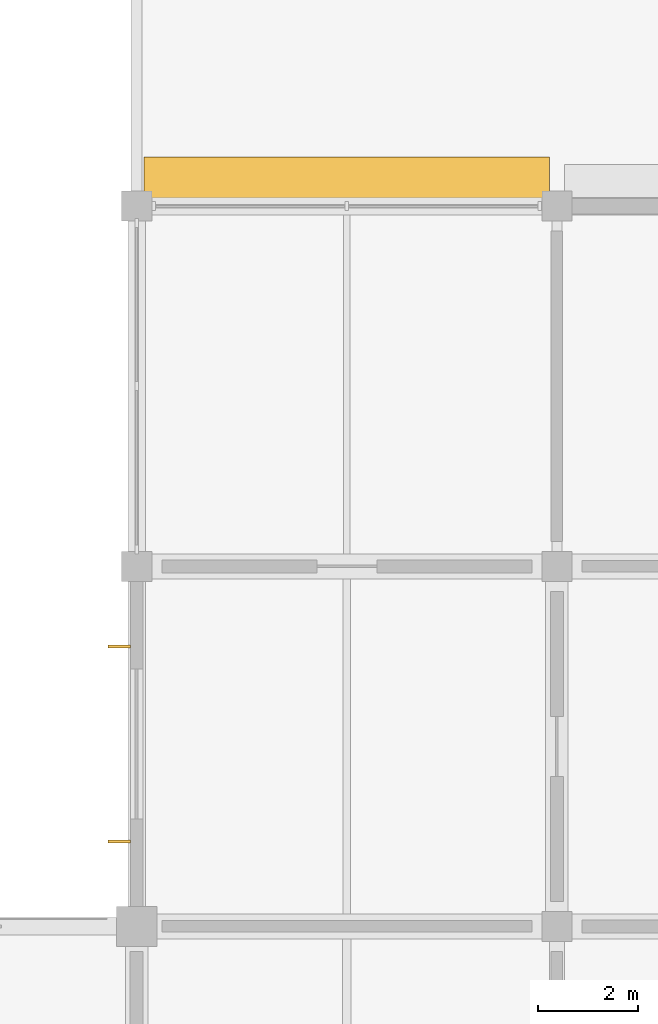
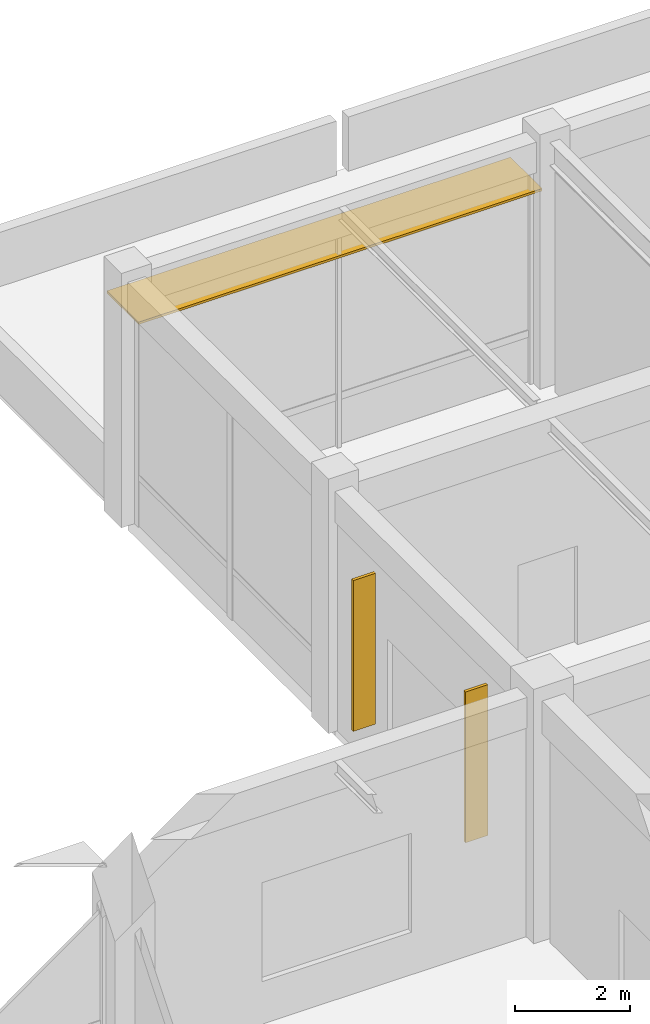
# One storey, part 37 of 38: 3 shading devices.
"""IFC4 building model written with IfcOpenShell, lengths in metres."""

from ifc_helpers import new_model, si_unit, derived_unit, direction, frame, origin, origin_2d, place, context, subcontext, project, spatial, rectangle, extrude, material, layer, layer_set, type_object, element, save


model = new_model("IFC4")

# Units and contexts
model_context = context("Model", 3, precision=1e-05, world=origin(), true_north=direction((0.0, 1.0)))
body_context = subcontext(model_context, "Body", "Model", "MODEL_VIEW")
ifc_project = project(units=[si_unit("LENGTHUNIT", "METRE"), si_unit("AREAUNIT", "SQUARE_METRE"), si_unit("VOLUMEUNIT", "CUBIC_METRE"), si_unit("PLANEANGLEUNIT", "RADIAN"), si_unit("MASSUNIT", "GRAM", prefix="KILO"), derived_unit("THERMALTRANSMITTANCEUNIT", [(si_unit("MASSUNIT", "GRAM", prefix="KILO"), 1), (si_unit("TIMEUNIT", "SECOND"), -3), (si_unit("THERMODYNAMICTEMPERATUREUNIT", "KELVIN"), -1)])], contexts=[model_context])

# Site, building, storey
site_placement = place(None, origin())
site = spatial("IfcSite", under=ifc_project, at=site_placement, CompositionType="ELEMENT")
building_placement = place(site_placement, origin())
building = spatial("IfcBuilding", under=site, at=building_placement, Name="Veldstrom Oceanarium and Marine Research Institute", CompositionType="ELEMENT")
storey_placement = place(building_placement, frame((0.0, 0.0, 11.39990234375)))
storey = spatial("IfcBuildingStorey", under=building, at=storey_placement, Name="L02", CompositionType="ELEMENT", Elevation=11.39990234375)

# Shading devices
ifc_material_1 = material(Name="Precast Terracotta Brise-Soleil Louvre", Category="masonry")
ifc_layer_1 = layer(ifc_material_1, 3.199951171875)
ifc_layer_set_1 = layer_set([ifc_layer_1], Name="ARC-SHD-BS02")
shading_device_type_1 = type_object("IfcShadingDeviceType", Name="ARC-SHD-BS02", PredefinedType="JALOUSIE", material=ifc_layer_set_1)
for number, where, z_axis, x_axis, name in (
    (1, (117.2548828125, 73.699951171875, 0.9501953125), (0.0, 0.0, 1.0), (1.0, 0.0, 0.0), "Terracotta Brise-Soleil Louvre L02-081"),
    (2, (117.2548828125, 77.60009765625, 0.9501953125), (0.0, 0.0, 1.0), (1.0, 0.0, 0.0), "Terracotta Brise-Soleil Louvre L02-081"),
):
    element("IfcShadingDevice", number, at=place(storey_placement, frame(where, z_axis=z_axis, x_axis=x_axis)), inside=storey, type_object=shading_device_type_1, Name=name, PredefinedType="JALOUSIE", context=body_context, shape_type="SweptSolid", body=[
        extrude(rectangle(XDim=0.449951171875, YDim=0.06005859375, at=origin_2d()), origin(), (0.0, 0.0, 1.0), 3.199951171875),
    ])
ifc_material_2 = material(Name="Perforated Anodised Aluminium Louvre", Category="aluminium")
ifc_layer_2 = layer(ifc_material_2, 0.050048828125)
ifc_layer_set_2 = layer_set([ifc_layer_2], Name="ARC-SHD-SH02")
shading_device_type_2 = type_object("IfcShadingDeviceType", Name="ARC-SHD-SH02", PredefinedType="AWNING", material=ifc_layer_set_2)
shading_device_placement = place(storey_placement, frame((121.800048828125, 86.830078125, 4.05029296875), z_axis=(0.0, 0.0, 1.0), x_axis=(1.0, 0.0, 0.0)))
element("IfcShadingDevice", 3, at=shading_device_placement, inside=storey, type_object=shading_device_type_2, Name="North Solar Canopy Louvre L02-15", PredefinedType="AWNING", context=body_context, shape_type="SweptSolid", body=[
    extrude(rectangle(XDim=8.10009765625, YDim=1.10009765625, at=origin_2d()), origin(), (0.0, 0.0, 1.0), 0.050048828125),
])

save(model, "model.ifc")
